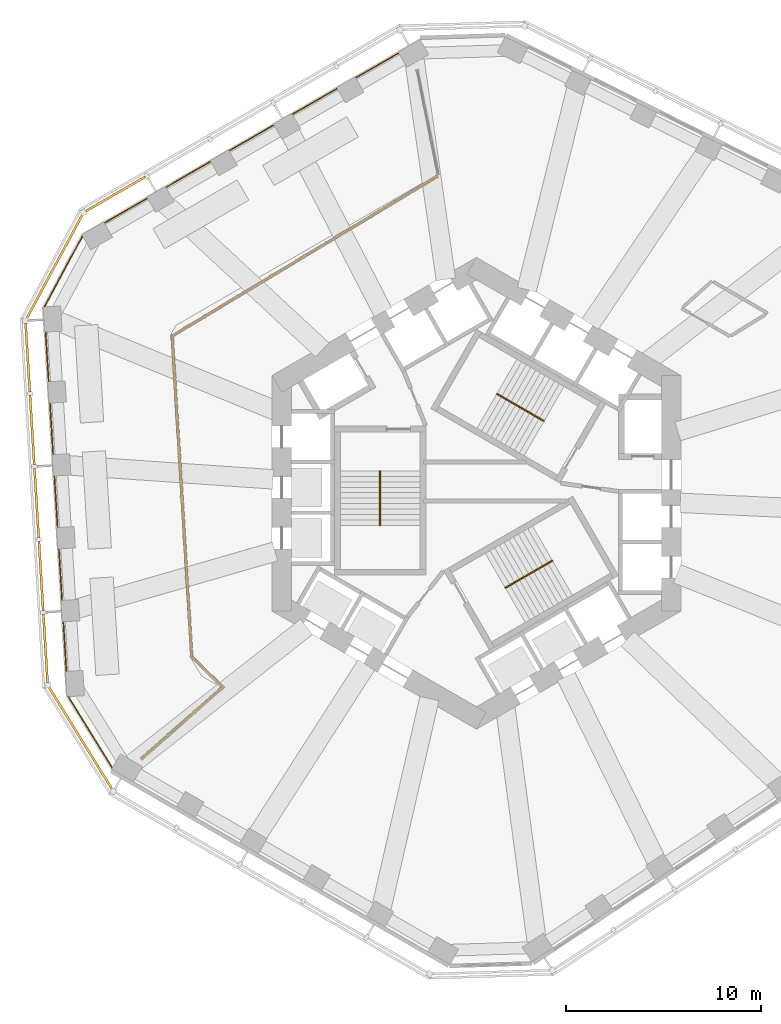
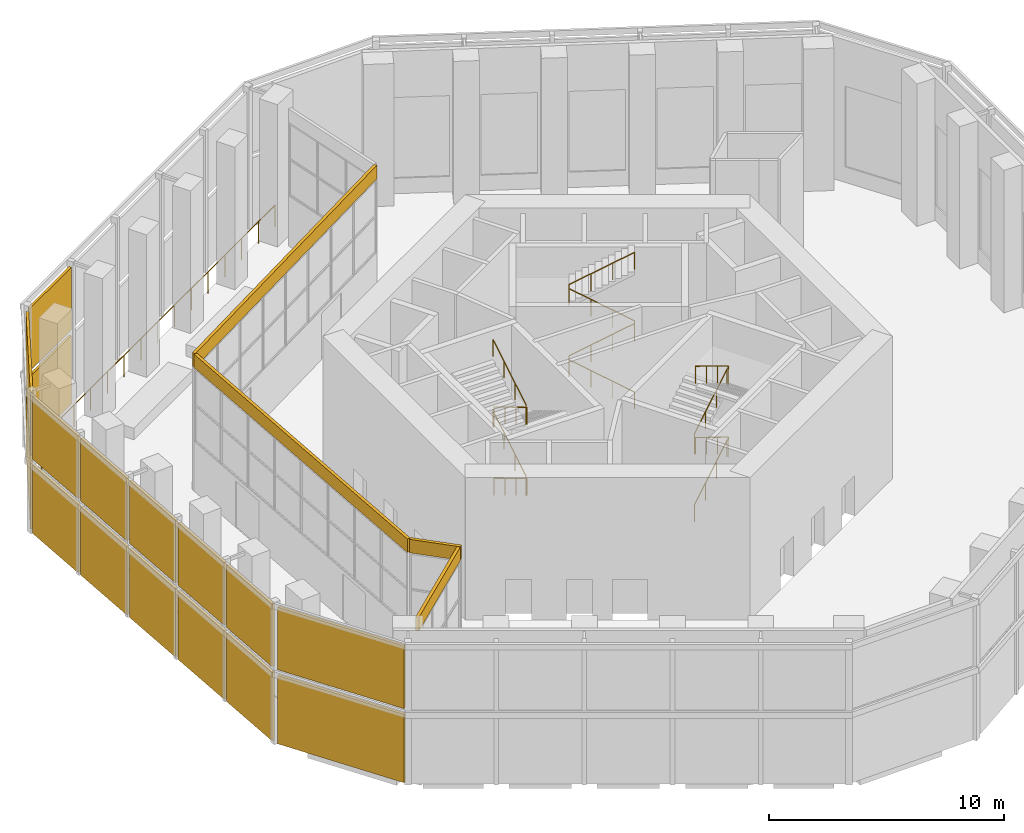
# One storey, part 16 of 19: 16 shading devices, 4 coverings, 4 railings.
"""IFC4 building model written with IfcOpenShell, lengths in metres."""

from ifc_helpers import new_model, si_unit, direction, frame, origin, origin_2d, place, context, subcontext, project, spatial, rectangle, circle, extrude, material, layer, layer_set, type_object, element, save


model = new_model("IFC4")

# Units and contexts
model_context = context("Model", 3, precision=1e-05, world=origin(), true_north=direction((0.0, 1.0)))
body_context = subcontext(model_context, "Body", "Model", "MODEL_VIEW")
ifc_project = project(units=[si_unit("LENGTHUNIT", "METRE"), si_unit("AREAUNIT", "SQUARE_METRE"), si_unit("VOLUMEUNIT", "CUBIC_METRE"), si_unit("PLANEANGLEUNIT", "RADIAN"), si_unit("MASSUNIT", "GRAM", prefix="KILO")], contexts=[model_context])

# Site, building, storey
site_placement = place(None, origin())
site = spatial("IfcSite", under=ifc_project, at=site_placement, CompositionType="ELEMENT")
building_placement = place(site_placement, origin())
building = spatial("IfcBuilding", under=site, at=building_placement, Name="Vanh Sen Convention Tower", CompositionType="ELEMENT")
storey_placement = place(building_placement, frame((0.0, 0.0, 139.199951171875)))
storey = spatial("IfcBuildingStorey", under=building, at=storey_placement, Name="L34", CompositionType="ELEMENT", Elevation=139.199951171875)

# Railings
ifc_material_1 = material(Name="Stainless steel posts with toughened glass infill", Category="steel")
railing_type_1 = type_object("IfcRailingType", Name="Garden guard 1150", PredefinedType="GUARDRAIL", material=ifc_material_1)
railing_1_placement = place(storey_placement, frame((-2.91162109375, 23.260498046875, 0.0)))
element("IfcRailing", 1, at=railing_1_placement, inside=storey, type_object=railing_type_1, Name="Sky garden guard 1 L34", PredefinedType="GUARDRAIL", context=body_context, shape_type="SweptSolid", body=[
    extrude(circle(Radius=0.02392578125, at=origin_2d()), frame((0.0, 0.0, 1.1259765625), z_axis=(-0.866022959057, -0.500004234368, 0.0), x_axis=(0.500004234368, -0.866022959057, 0.0)), (0.0, 0.0, 1.0), 19.999755859375),
    extrude(circle(Radius=0.02392578125, at=origin_2d()), frame((-17.3203125, -10.0, 1.1259765625), z_axis=(-0.473325003446, -0.880887870908, 0.0), x_axis=(0.880887870908, -0.473325003446, 0.0)), (0.0, 0.0, 1.0), 4.2099609375),
    extrude(circle(Radius=0.02392578125, at=origin_2d()), frame((-19.31298828125, -13.70849609375, 1.1259765625), z_axis=(0.061044843315, -0.998135024485, 0.0), x_axis=(0.998135024485, 0.061044843315, 0.0)), (0.0, 0.0, 1.0), 20.016845703125),
    extrude(circle(Radius=0.02392578125, at=origin_2d()), frame((-18.091064453125, -33.68798828125, 1.1259765625), z_axis=(0.526237283106, -0.850337769283, 0.0), x_axis=(0.850337769283, 0.526237283106, 0.0)), (0.0, 0.0, 1.0), 4.369873046875),
    extrude(circle(Radius=0.02392578125, at=origin_2d()), frame((-15.79150390625, -37.40380859375, 1.1259765625), z_axis=(0.870022185849, -0.493012571981, 0.0), x_axis=(0.493012571981, 0.870022185849, 0.0)), (0.0, 0.0, 1.0), 0.016845703125),
    extrude(circle(Radius=0.02099609375, at=origin_2d()), origin(), (0.0, 0.0, 1.0), 1.101806640625),
    extrude(circle(Radius=0.02099609375, at=origin_2d()), frame((-1.237060546875, -0.71435546875, 0.0)), (0.0, 0.0, 1.0), 1.101806640625),
    extrude(circle(Radius=0.02099609375, at=origin_2d()), frame((-2.474365234375, -1.428466796875, 0.0)), (0.0, 0.0, 1.0), 1.101806640625),
    extrude(circle(Radius=0.02099609375, at=origin_2d()), frame((-3.71142578125, -2.142822265625, 0.0)), (0.0, 0.0, 1.0), 1.101806640625),
    extrude(circle(Radius=0.02099609375, at=origin_2d()), frame((-4.94873046875, -2.857177734375, 0.0)), (0.0, 0.0, 1.0), 1.101806640625),
    extrude(circle(Radius=0.02099609375, at=origin_2d()), frame((-6.185791015625, -3.571533203125, 0.0)), (0.0, 0.0, 1.0), 1.101806640625),
    extrude(circle(Radius=0.02099609375, at=origin_2d()), frame((-7.423095703125, -4.28564453125, 0.0)), (0.0, 0.0, 1.0), 1.101806640625),
    extrude(circle(Radius=0.02099609375, at=origin_2d()), frame((-8.66015625, -5.0, 0.0)), (0.0, 0.0, 1.0), 1.101806640625),
    extrude(circle(Radius=0.02099609375, at=origin_2d()), frame((-9.897216796875, -5.71435546875, 0.0)), (0.0, 0.0, 1.0), 1.101806640625),
    extrude(circle(Radius=0.02099609375, at=origin_2d()), frame((-11.134521484375, -6.428466796875, 0.0)), (0.0, 0.0, 1.0), 1.101806640625),
    extrude(circle(Radius=0.02099609375, at=origin_2d()), frame((-12.37158203125, -7.142822265625, 0.0)), (0.0, 0.0, 1.0), 1.101806640625),
    extrude(circle(Radius=0.02099609375, at=origin_2d()), frame((-13.60888671875, -7.857177734375, 0.0)), (0.0, 0.0, 1.0), 1.101806640625),
    extrude(circle(Radius=0.02099609375, at=origin_2d()), frame((-14.845947265625, -8.571533203125, 0.0)), (0.0, 0.0, 1.0), 1.101806640625),
    extrude(circle(Radius=0.02099609375, at=origin_2d()), frame((-16.083251953125, -9.28564453125, 0.0)), (0.0, 0.0, 1.0), 1.101806640625),
    extrude(circle(Radius=0.02099609375, at=origin_2d()), frame((-17.3203125, -10.0, 0.0)), (0.0, 0.0, 1.0), 1.101806640625),
    extrude(circle(Radius=0.02099609375, at=origin_2d()), frame((-17.984619140625, -11.236083984375, 0.0)), (0.0, 0.0, 1.0), 1.101806640625),
    extrude(circle(Radius=0.02099609375, at=origin_2d()), frame((-18.648681640625, -12.472412109375, 0.0)), (0.0, 0.0, 1.0), 1.101806640625),
    extrude(circle(Radius=0.02099609375, at=origin_2d()), frame((-19.31298828125, -13.70849609375, 0.0)), (0.0, 0.0, 1.0), 1.101806640625),
    extrude(circle(Radius=0.02099609375, at=origin_2d()), frame((-19.2255859375, -15.135498046875, 0.0)), (0.0, 0.0, 1.0), 1.101806640625),
    extrude(circle(Radius=0.02099609375, at=origin_2d()), frame((-19.138427734375, -16.562744140625, 0.0)), (0.0, 0.0, 1.0), 1.101806640625),
    extrude(circle(Radius=0.02099609375, at=origin_2d()), frame((-19.05126953125, -17.98974609375, 0.0)), (0.0, 0.0, 1.0), 1.101806640625),
    extrude(circle(Radius=0.02099609375, at=origin_2d()), frame((-18.9638671875, -19.4169921875, 0.0)), (0.0, 0.0, 1.0), 1.101806640625),
    extrude(circle(Radius=0.02099609375, at=origin_2d()), frame((-18.87646484375, -20.843994140625, 0.0)), (0.0, 0.0, 1.0), 1.101806640625),
    extrude(circle(Radius=0.02099609375, at=origin_2d()), frame((-18.789306640625, -22.271240234375, 0.0)), (0.0, 0.0, 1.0), 1.101806640625),
    extrude(circle(Radius=0.02099609375, at=origin_2d()), frame((-18.7021484375, -23.6982421875, 0.0)), (0.0, 0.0, 1.0), 1.101806640625),
    extrude(circle(Radius=0.02099609375, at=origin_2d()), frame((-18.61474609375, -25.125244140625, 0.0)), (0.0, 0.0, 1.0), 1.101806640625),
    extrude(circle(Radius=0.02099609375, at=origin_2d()), frame((-18.52734375, -26.552490234375, 0.0)), (0.0, 0.0, 1.0), 1.101806640625),
    extrude(circle(Radius=0.02099609375, at=origin_2d()), frame((-18.440185546875, -27.9794921875, 0.0)), (0.0, 0.0, 1.0), 1.101806640625),
    extrude(circle(Radius=0.02099609375, at=origin_2d()), frame((-18.35302734375, -29.40673828125, 0.0)), (0.0, 0.0, 1.0), 1.101806640625),
    extrude(circle(Radius=0.02099609375, at=origin_2d()), frame((-18.265625, -30.833740234375, 0.0)), (0.0, 0.0, 1.0), 1.101806640625),
    extrude(circle(Radius=0.02099609375, at=origin_2d()), frame((-18.17822265625, -32.260986328125, 0.0)), (0.0, 0.0, 1.0), 1.101806640625),
    extrude(circle(Radius=0.02099609375, at=origin_2d()), frame((-18.091064453125, -33.68798828125, 0.0)), (0.0, 0.0, 1.0), 1.101806640625),
    extrude(circle(Radius=0.02099609375, at=origin_2d()), frame((-17.324462890625, -34.926513671875, 0.0)), (0.0, 0.0, 1.0), 1.101806640625),
    extrude(circle(Radius=0.02099609375, at=origin_2d()), frame((-16.55810546875, -36.165283203125, 0.0)), (0.0, 0.0, 1.0), 1.101806640625),
    extrude(circle(Radius=0.02099609375, at=origin_2d()), frame((-15.79150390625, -37.40380859375, 0.0)), (0.0, 0.0, 1.0), 1.101806640625),
    extrude(circle(Radius=0.02099609375, at=origin_2d()), frame((-15.77685546875, -37.412109375, 0.0)), (0.0, 0.0, 1.0), 1.101806640625),
])
ifc_material_2 = material(Name="Stainless steel handrail", Category="steel")
railing_type_2 = type_object("IfcRailingType", Name="Stair handrail 900", PredefinedType="HANDRAIL", material=ifc_material_2)
railing_2_placement = place(storey_placement, frame((3.45849609375, 3.690185546875, 0.168212890625)))
element("IfcRailing", 2, at=railing_2_placement, inside=storey, type_object=railing_type_2, Name="Stair handrail ST1 L34", PredefinedType="HANDRAIL", context=body_context, shape_type="SweptSolid", body=[
    extrude(circle(Radius=0.02392578125, at=origin_2d()), frame((0.0, 0.0, 0.8759765625), z_axis=(-0.742390482028, 0.42860119049, 0.514934356695), x_axis=(-0.49998411664, -0.866034573852, 0.0)), (0.0, 0.0, 1.0), 3.26611328125),
    extrude(circle(Radius=0.02392578125, at=origin_2d()), frame((-2.4248046875, 1.39990234375, 2.5576171875), z_axis=(0.497188445666, 0.867642581652, 0.0), x_axis=(-0.867642581652, 0.497188445666, 0.0)), (0.0, 0.0, 1.0), 0.050048828125),
    extrude(circle(Radius=0.02392578125, at=origin_2d()), frame((-2.39990234375, 1.443359375, 2.5576171875), z_axis=(0.0, 0.0, 1.0), x_axis=(1.0, 0.0, 0.0)), (0.0, 0.0, 1.0), 0.168212890625),
    extrude(circle(Radius=0.02392578125, at=origin_2d()), frame((-2.39990234375, 1.443359375, 2.72607421875), z_axis=(0.742395268701, -0.428678701772, 0.514862928999), x_axis=(0.500049511043, 0.865996816683, 0.0)), (0.0, 0.0, 1.0), 3.26611328125),
    extrude(circle(Radius=0.02392578125, at=origin_2d()), frame((0.02490234375, 0.043212890625, 4.40771484375), z_axis=(-0.499298623879, -0.866429964967, 0.0), x_axis=(0.866429964967, -0.499298623879, 0.0)), (0.0, 0.0, 1.0), 0.0498046875),
    extrude(circle(Radius=0.02392578125, at=origin_2d()), frame((0.0, 0.0, 4.40771484375), z_axis=(0.0, 0.0, 1.0), x_axis=(1.0, 0.0, 0.0)), (0.0, 0.0, 1.0), 0.168212890625),
    extrude(circle(Radius=0.02392578125, at=origin_2d()), frame((0.0, 0.0, 4.57568359375), z_axis=(-0.742390482028, 0.42860119049, 0.514934356695), x_axis=(-0.49998411664, -0.866034573852, 0.0)), (0.0, 0.0, 1.0), 3.26611328125),
    extrude(circle(Radius=0.02392578125, at=origin_2d()), frame((-2.4248046875, 1.39990234375, 6.2578125), z_axis=(0.497188445666, 0.867642581652, 0.0), x_axis=(-0.867642581652, 0.497188445666, 0.0)), (0.0, 0.0, 1.0), 0.050048828125),
    extrude(circle(Radius=0.02392578125, at=origin_2d()), frame((-2.39990234375, 1.443359375, 6.2578125), z_axis=(0.0, 0.0, 1.0), x_axis=(1.0, 0.0, 0.0)), (0.0, 0.0, 1.0), 0.168212890625),
    extrude(circle(Radius=0.02392578125, at=origin_2d()), frame((-2.39990234375, 1.443359375, 6.42578125), z_axis=(0.742366697286, -0.42866220388, 0.514917859203), x_axis=(0.500049511043, 0.865996816683, 0.0)), (0.0, 0.0, 1.0), 3.266357421875),
    extrude(circle(Radius=0.02099609375, at=origin_2d()), origin(), (0.0, 0.0, 1.0), 0.851806640625),
    extrude(circle(Radius=0.02099609375, at=origin_2d()), frame((-0.808349609375, 0.466552734375, 0.560546875)), (0.0, 0.0, 1.0), 0.851806640625),
    extrude(circle(Radius=0.02099609375, at=origin_2d()), frame((-1.616455078125, 0.933349609375, 1.121337890625)), (0.0, 0.0, 1.0), 0.851806640625),
    extrude(circle(Radius=0.02099609375, at=origin_2d()), frame((-2.4248046875, 1.39990234375, 1.681884765625)), (0.0, 0.0, 1.0), 0.851806640625),
    extrude(circle(Radius=0.02099609375, at=origin_2d()), frame((-2.39990234375, 1.443359375, 1.681884765625)), (0.0, 0.0, 1.0), 0.851806640625),
    extrude(circle(Radius=0.02099609375, at=origin_2d()), frame((-2.39990234375, 1.443359375, 1.85009765625)), (0.0, 0.0, 1.0), 0.851806640625),
    extrude(circle(Radius=0.02099609375, at=origin_2d()), frame((-1.591552734375, 0.9765625, 2.41064453125)), (0.0, 0.0, 1.0), 0.851806640625),
    extrude(circle(Radius=0.02099609375, at=origin_2d()), frame((-0.783447265625, 0.510009765625, 2.97119140625)), (0.0, 0.0, 1.0), 0.851806640625),
    extrude(circle(Radius=0.02099609375, at=origin_2d()), frame((0.02490234375, 0.043212890625, 3.53173828125)), (0.0, 0.0, 1.0), 0.851806640625),
    extrude(circle(Radius=0.02099609375, at=origin_2d()), frame((0.0, 0.0, 3.53173828125)), (0.0, 0.0, 1.0), 0.851806640625),
    extrude(circle(Radius=0.02099609375, at=origin_2d()), frame((0.0, 0.0, 3.699951171875)), (0.0, 0.0, 1.0), 0.851806640625),
    extrude(circle(Radius=0.02099609375, at=origin_2d()), frame((-0.808349609375, 0.466552734375, 4.260498046875)), (0.0, 0.0, 1.0), 0.851806640625),
    extrude(circle(Radius=0.02099609375, at=origin_2d()), frame((-1.616455078125, 0.933349609375, 4.8212890625)), (0.0, 0.0, 1.0), 0.851806640625),
    extrude(circle(Radius=0.02099609375, at=origin_2d()), frame((-2.4248046875, 1.39990234375, 5.3818359375)), (0.0, 0.0, 1.0), 0.851806640625),
    extrude(circle(Radius=0.02099609375, at=origin_2d()), frame((-2.39990234375, 1.443359375, 5.3818359375)), (0.0, 0.0, 1.0), 0.851806640625),
    extrude(circle(Radius=0.02099609375, at=origin_2d()), frame((-2.39990234375, 1.443359375, 5.550048828125)), (0.0, 0.0, 1.0), 0.851806640625),
    extrude(circle(Radius=0.02099609375, at=origin_2d()), frame((-1.591552734375, 0.9765625, 6.110595703125)), (0.0, 0.0, 1.0), 0.851806640625),
    extrude(circle(Radius=0.02099609375, at=origin_2d()), frame((-0.783447265625, 0.510009765625, 6.67138671875)), (0.0, 0.0, 1.0), 0.851806640625),
    extrude(circle(Radius=0.02099609375, at=origin_2d()), frame((0.02490234375, 0.043212890625, 7.23193359375)), (0.0, 0.0, 1.0), 0.851806640625),
])
railing_3_placement = place(storey_placement, frame((-4.925048828125, 1.14990234375, 0.168212890625)))
element("IfcRailing", 3, at=railing_3_placement, inside=storey, type_object=railing_type_2, Name="Stair handrail ST2 L34", PredefinedType="HANDRAIL", context=body_context, shape_type="SweptSolid", body=[
    extrude(circle(Radius=0.02392578125, at=origin_2d()), frame((0.0, 0.0, 0.8759765625), z_axis=(0.0, -0.857222391501, 0.514946377315), x_axis=(1.0, 0.0, 0.0)), (0.0, 0.0, 1.0), 3.26611328125),
    extrude(circle(Radius=0.02392578125, at=origin_2d()), frame((0.0, -2.7998046875, 2.5576171875), z_axis=(-1.0, 0.0, 0.0), x_axis=(0.0, -1.0, 0.0)), (0.0, 0.0, 1.0), 0.050048828125),
    extrude(circle(Radius=0.02392578125, at=origin_2d()), frame((-0.050048828125, -2.7998046875, 2.5576171875), z_axis=(0.0, 0.0, 1.0), x_axis=(1.0, 0.0, 0.0)), (0.0, 0.0, 1.0), 0.168212890625),
    extrude(circle(Radius=0.02392578125, at=origin_2d()), frame((-0.050048828125, -2.7998046875, 2.72607421875), z_axis=(0.0, 0.857255387014, 0.514891446264), x_axis=(-1.0, 0.0, 0.0)), (0.0, 0.0, 1.0), 3.26611328125),
    extrude(circle(Radius=0.02392578125, at=origin_2d()), frame((-0.050048828125, 0.0, 4.40771484375), z_axis=(1.0, 0.0, 0.0), x_axis=(0.0, 1.0, 0.0)), (0.0, 0.0, 1.0), 0.050048828125),
    extrude(circle(Radius=0.02392578125, at=origin_2d()), frame((0.0, 0.0, 4.40771484375), z_axis=(0.0, 0.0, 1.0), x_axis=(1.0, 0.0, 0.0)), (0.0, 0.0, 1.0), 0.168212890625),
    extrude(circle(Radius=0.02392578125, at=origin_2d()), frame((0.0, 0.0, 4.57568359375), z_axis=(0.0, -0.857222391501, 0.514946377315), x_axis=(1.0, 0.0, 0.0)), (0.0, 0.0, 1.0), 3.26611328125),
    extrude(circle(Radius=0.02392578125, at=origin_2d()), frame((0.0, -2.7998046875, 6.2578125), z_axis=(-1.0, 0.0, 0.0), x_axis=(0.0, -1.0, 0.0)), (0.0, 0.0, 1.0), 0.050048828125),
    extrude(circle(Radius=0.02392578125, at=origin_2d()), frame((-0.050048828125, -2.7998046875, 6.2578125), z_axis=(0.0, 0.0, 1.0), x_axis=(1.0, 0.0, 0.0)), (0.0, 0.0, 1.0), 0.168212890625),
    extrude(circle(Radius=0.02392578125, at=origin_2d()), frame((-0.050048828125, -2.7998046875, 6.42578125), z_axis=(0.0, 0.857222391501, 0.514946377315), x_axis=(-1.0, 0.0, 0.0)), (0.0, 0.0, 1.0), 3.26611328125),
    extrude(circle(Radius=0.02099609375, at=origin_2d()), origin(), (0.0, 0.0, 1.0), 0.851806640625),
    extrude(circle(Radius=0.02099609375, at=origin_2d()), frame((0.0, -0.933349609375, 0.560546875)), (0.0, 0.0, 1.0), 0.851806640625),
    extrude(circle(Radius=0.02099609375, at=origin_2d()), frame((0.0, -1.866455078125, 1.121337890625)), (0.0, 0.0, 1.0), 0.851806640625),
    extrude(circle(Radius=0.02099609375, at=origin_2d()), frame((0.0, -2.7998046875, 1.681884765625)), (0.0, 0.0, 1.0), 0.851806640625),
    extrude(circle(Radius=0.02099609375, at=origin_2d()), frame((-0.050048828125, -2.7998046875, 1.681884765625)), (0.0, 0.0, 1.0), 0.851806640625),
    extrude(circle(Radius=0.02099609375, at=origin_2d()), frame((-0.050048828125, -2.7998046875, 1.85009765625)), (0.0, 0.0, 1.0), 0.851806640625),
    extrude(circle(Radius=0.02099609375, at=origin_2d()), frame((-0.050048828125, -1.866455078125, 2.41064453125)), (0.0, 0.0, 1.0), 0.851806640625),
    extrude(circle(Radius=0.02099609375, at=origin_2d()), frame((-0.050048828125, -0.933349609375, 2.97119140625)), (0.0, 0.0, 1.0), 0.851806640625),
    extrude(circle(Radius=0.02099609375, at=origin_2d()), frame((-0.050048828125, 0.0, 3.53173828125)), (0.0, 0.0, 1.0), 0.851806640625),
    extrude(circle(Radius=0.02099609375, at=origin_2d()), frame((0.0, 0.0, 3.53173828125)), (0.0, 0.0, 1.0), 0.851806640625),
    extrude(circle(Radius=0.02099609375, at=origin_2d()), frame((0.0, 0.0, 3.699951171875)), (0.0, 0.0, 1.0), 0.851806640625),
    extrude(circle(Radius=0.02099609375, at=origin_2d()), frame((0.0, -0.933349609375, 4.260498046875)), (0.0, 0.0, 1.0), 0.851806640625),
    extrude(circle(Radius=0.02099609375, at=origin_2d()), frame((0.0, -1.866455078125, 4.8212890625)), (0.0, 0.0, 1.0), 0.851806640625),
    extrude(circle(Radius=0.02099609375, at=origin_2d()), frame((0.0, -2.7998046875, 5.3818359375)), (0.0, 0.0, 1.0), 0.851806640625),
    extrude(circle(Radius=0.02099609375, at=origin_2d()), frame((-0.050048828125, -2.7998046875, 5.3818359375)), (0.0, 0.0, 1.0), 0.851806640625),
    extrude(circle(Radius=0.02099609375, at=origin_2d()), frame((-0.050048828125, -2.7998046875, 5.550048828125)), (0.0, 0.0, 1.0), 0.851806640625),
    extrude(circle(Radius=0.02099609375, at=origin_2d()), frame((-0.050048828125, -1.866455078125, 6.110595703125)), (0.0, 0.0, 1.0), 0.851806640625),
    extrude(circle(Radius=0.02099609375, at=origin_2d()), frame((-0.050048828125, -0.933349609375, 6.67138671875)), (0.0, 0.0, 1.0), 0.851806640625),
    extrude(circle(Radius=0.02099609375, at=origin_2d()), frame((-0.050048828125, 0.0, 7.23193359375)), (0.0, 0.0, 1.0), 0.851806640625),
])
railing_4_placement = place(storey_placement, frame((1.466552734375, -4.840087890625, 0.168212890625)))
element("IfcRailing", 4, at=railing_4_placement, inside=storey, type_object=railing_type_2, Name="Stair handrail ST3 L34", PredefinedType="HANDRAIL", context=body_context, shape_type="SweptSolid", body=[
    extrude(circle(Radius=0.02392578125, at=origin_2d()), frame((0.0, 0.0, 0.8759765625), z_axis=(0.742390482028, 0.42860119049, 0.514934356695), x_axis=(-0.49998411664, 0.866034573852, 0.0)), (0.0, 0.0, 1.0), 3.26611328125),
    extrude(circle(Radius=0.02392578125, at=origin_2d()), frame((2.4248046875, 1.39990234375, 2.5576171875), z_axis=(0.502959906984, -0.86430974307, 0.0), x_axis=(0.86430974307, 0.502959906984, 0.0)), (0.0, 0.0, 1.0), 0.050048828125),
    extrude(circle(Radius=0.02392578125, at=origin_2d()), frame((2.449951171875, 1.356689453125, 2.5576171875), z_axis=(0.0, 0.0, 1.0), x_axis=(1.0, 0.0, 0.0)), (0.0, 0.0, 1.0), 0.168212890625),
    extrude(circle(Radius=0.02392578125, at=origin_2d()), frame((2.449951171875, 1.356689453125, 2.72607421875), z_axis=(-0.742395268701, -0.428678701772, 0.514862928999), x_axis=(0.500049511043, -0.865996816683, 0.0)), (0.0, 0.0, 1.0), 3.26611328125),
    extrude(circle(Radius=0.02392578125, at=origin_2d()), frame((0.025146484375, -0.04345703125, 4.40771484375), z_axis=(-0.500844580232, 0.86553723574, 0.0), x_axis=(-0.86553723574, -0.500844580232, 0.0)), (0.0, 0.0, 1.0), 0.05029296875),
    extrude(circle(Radius=0.02392578125, at=origin_2d()), frame((0.0, 0.0, 4.40771484375), z_axis=(0.0, 0.0, 1.0), x_axis=(1.0, 0.0, 0.0)), (0.0, 0.0, 1.0), 0.168212890625),
    extrude(circle(Radius=0.02392578125, at=origin_2d()), frame((0.0, 0.0, 4.57568359375), z_axis=(0.742390482028, 0.42860119049, 0.514934356695), x_axis=(-0.49998411664, 0.866034573852, 0.0)), (0.0, 0.0, 1.0), 3.26611328125),
    extrude(circle(Radius=0.02392578125, at=origin_2d()), frame((2.4248046875, 1.39990234375, 6.2578125), z_axis=(0.502959906984, -0.86430974307, 0.0), x_axis=(0.86430974307, 0.502959906984, 0.0)), (0.0, 0.0, 1.0), 0.050048828125),
    extrude(circle(Radius=0.02392578125, at=origin_2d()), frame((2.449951171875, 1.356689453125, 6.2578125), z_axis=(0.0, 0.0, 1.0), x_axis=(1.0, 0.0, 0.0)), (0.0, 0.0, 1.0), 0.168212890625),
    extrude(circle(Radius=0.02392578125, at=origin_2d()), frame((2.449951171875, 1.356689453125, 6.42578125), z_axis=(-0.742366697286, -0.42866220388, 0.514917859203), x_axis=(0.500049511043, -0.865996816683, 0.0)), (0.0, 0.0, 1.0), 3.266357421875),
    extrude(circle(Radius=0.02099609375, at=origin_2d()), origin(), (0.0, 0.0, 1.0), 0.851806640625),
    extrude(circle(Radius=0.02099609375, at=origin_2d()), frame((0.808349609375, 0.466552734375, 0.560546875)), (0.0, 0.0, 1.0), 0.851806640625),
    extrude(circle(Radius=0.02099609375, at=origin_2d()), frame((1.616455078125, 0.933349609375, 1.121337890625)), (0.0, 0.0, 1.0), 0.851806640625),
    extrude(circle(Radius=0.02099609375, at=origin_2d()), frame((2.4248046875, 1.39990234375, 1.681884765625)), (0.0, 0.0, 1.0), 0.851806640625),
    extrude(circle(Radius=0.02099609375, at=origin_2d()), frame((2.449951171875, 1.356689453125, 1.681884765625)), (0.0, 0.0, 1.0), 0.851806640625),
    extrude(circle(Radius=0.02099609375, at=origin_2d()), frame((2.449951171875, 1.356689453125, 1.85009765625)), (0.0, 0.0, 1.0), 0.851806640625),
    extrude(circle(Radius=0.02099609375, at=origin_2d()), frame((1.6416015625, 0.889892578125, 2.41064453125)), (0.0, 0.0, 1.0), 0.851806640625),
    extrude(circle(Radius=0.02099609375, at=origin_2d()), frame((0.83349609375, 0.42333984375, 2.97119140625)), (0.0, 0.0, 1.0), 0.851806640625),
    extrude(circle(Radius=0.02099609375, at=origin_2d()), frame((0.025146484375, -0.04345703125, 3.53173828125)), (0.0, 0.0, 1.0), 0.851806640625),
    extrude(circle(Radius=0.02099609375, at=origin_2d()), frame((0.0, 0.0, 3.53173828125)), (0.0, 0.0, 1.0), 0.851806640625),
    extrude(circle(Radius=0.02099609375, at=origin_2d()), frame((0.0, 0.0, 3.699951171875)), (0.0, 0.0, 1.0), 0.851806640625),
    extrude(circle(Radius=0.02099609375, at=origin_2d()), frame((0.808349609375, 0.466552734375, 4.260498046875)), (0.0, 0.0, 1.0), 0.851806640625),
    extrude(circle(Radius=0.02099609375, at=origin_2d()), frame((1.616455078125, 0.933349609375, 4.8212890625)), (0.0, 0.0, 1.0), 0.851806640625),
    extrude(circle(Radius=0.02099609375, at=origin_2d()), frame((2.4248046875, 1.39990234375, 5.3818359375)), (0.0, 0.0, 1.0), 0.851806640625),
    extrude(circle(Radius=0.02099609375, at=origin_2d()), frame((2.449951171875, 1.356689453125, 5.3818359375)), (0.0, 0.0, 1.0), 0.851806640625),
    extrude(circle(Radius=0.02099609375, at=origin_2d()), frame((2.449951171875, 1.356689453125, 5.550048828125)), (0.0, 0.0, 1.0), 0.851806640625),
    extrude(circle(Radius=0.02099609375, at=origin_2d()), frame((1.6416015625, 0.889892578125, 6.110595703125)), (0.0, 0.0, 1.0), 0.851806640625),
    extrude(circle(Radius=0.02099609375, at=origin_2d()), frame((0.83349609375, 0.42333984375, 6.67138671875)), (0.0, 0.0, 1.0), 0.851806640625),
    extrude(circle(Radius=0.02099609375, at=origin_2d()), frame((0.025146484375, -0.04345703125, 7.23193359375)), (0.0, 0.0, 1.0), 0.851806640625),
])

# Shading devices
ifc_material_3 = material(Name="Concrete C50/60", Category="concrete")
ifc_layer_1 = layer(ifc_material_3, 0.1201171875)
ifc_layer_set_1 = layer_set([ifc_layer_1], Name="Concrete C50/60")
shading_device_type = type_object("IfcShadingDeviceType", Name="Sun-screen louvre 120", PredefinedType="USERDEFINED", material=ifc_layer_set_1)
shading_device_1_placement = place(storey_placement, frame((-18.54638671875, 15.388427734375, 0.0), z_axis=(0.0, 0.0, 1.0), x_axis=(-0.866035002936, -0.499983373414, 0.0)))
element("IfcShadingDevice", 5, at=shading_device_1_placement, inside=storey, type_object=shading_device_type, Name="OUTER SKIN sun-screen louvre NW-5", ObjectType="LOUVRE", PredefinedType="USERDEFINED", context=body_context, shape_type="SweptSolid", body=[
    extrude(rectangle(XDim=3.504150390625, YDim=0.1201171875, at=origin_2d()), origin(), (0.0, 0.0, 1.0), 3.550048828125),
])
shading_device_2_placement = place(storey_placement, frame((-18.54638671875, 15.388427734375, 3.85009765625), z_axis=(0.0, 0.0, 1.0), x_axis=(-0.866035002936, -0.499983373414, 0.0)))
element("IfcShadingDevice", 6, at=shading_device_2_placement, inside=storey, type_object=shading_device_type, Name="OUTER SKIN sun-screen louvre NW-5", ObjectType="LOUVRE", PredefinedType="USERDEFINED", context=body_context, shape_type="SweptSolid", body=[
    extrude(rectangle(XDim=3.504150390625, YDim=0.1201171875, at=origin_2d()), origin(), (0.0, 0.0, 1.0), 3.25),
])
shading_device_3_placement = place(storey_placement, frame((-21.689208984375, 11.654052734375, 0.0), z_axis=(0.0, 0.0, 1.0), x_axis=(-0.47331812974, -0.880891564303, 0.0)))
element("IfcShadingDevice", 7, at=shading_device_3_placement, inside=storey, type_object=shading_device_type, Name="OUTER SKIN sun-screen louvre CH3-1", ObjectType="LOUVRE", PredefinedType="USERDEFINED", context=body_context, shape_type="SweptSolid", body=[
    extrude(rectangle(XDim=6.019287109375, YDim=0.1201171875, at=origin_2d()), origin(), (0.0, 0.0, 1.0), 3.550048828125),
])
shading_device_4_placement = place(storey_placement, frame((-21.689208984375, 11.654052734375, 3.85009765625), z_axis=(0.0, 0.0, 1.0), x_axis=(-0.47331812974, -0.880891564303, 0.0)))
element("IfcShadingDevice", 8, at=shading_device_4_placement, inside=storey, type_object=shading_device_type, Name="OUTER SKIN sun-screen louvre CH3-1", ObjectType="LOUVRE", PredefinedType="USERDEFINED", context=body_context, shape_type="SweptSolid", body=[
    extrude(rectangle(XDim=6.019287109375, YDim=0.1201171875, at=origin_2d()), origin(), (0.0, 0.0, 1.0), 3.25),
])
shading_device_5_placement = place(storey_placement, frame((-23.068603515625, 6.97216796875, 0.0), z_axis=(0.0, 0.0, 1.0), x_axis=(0.061053765756, -0.998134478759, 0.0)))
element("IfcShadingDevice", 9, at=shading_device_5_placement, inside=storey, type_object=shading_device_type, Name="OUTER SKIN sun-screen louvre W-1", ObjectType="LOUVRE", PredefinedType="USERDEFINED", context=body_context, shape_type="SweptSolid", body=[
    extrude(rectangle(XDim=3.504150390625, YDim=0.1201171875, at=origin_2d()), origin(), (0.0, 0.0, 1.0), 3.550048828125),
])
shading_device_6_placement = place(storey_placement, frame((-23.068603515625, 6.97216796875, 3.85009765625), z_axis=(0.0, 0.0, 1.0), x_axis=(0.061053765756, -0.998134478759, 0.0)))
element("IfcShadingDevice", 10, at=shading_device_6_placement, inside=storey, type_object=shading_device_type, Name="OUTER SKIN sun-screen louvre W-1", ObjectType="LOUVRE", PredefinedType="USERDEFINED", context=body_context, shape_type="SweptSolid", body=[
    extrude(rectangle(XDim=3.504150390625, YDim=0.1201171875, at=origin_2d()), origin(), (0.0, 0.0, 1.0), 3.25),
])
shading_device_7_placement = place(storey_placement, frame((-22.841064453125, 3.25, 0.0), z_axis=(0.0, 0.0, 1.0), x_axis=(0.061052023682, -0.998134585316, 0.0)))
element("IfcShadingDevice", 11, at=shading_device_7_placement, inside=storey, type_object=shading_device_type, Name="OUTER SKIN sun-screen louvre W-2", ObjectType="LOUVRE", PredefinedType="USERDEFINED", context=body_context, shape_type="SweptSolid", body=[
    extrude(rectangle(XDim=3.55419921875, YDim=0.1201171875, at=origin_2d()), origin(), (0.0, 0.0, 1.0), 3.550048828125),
])
shading_device_8_placement = place(storey_placement, frame((-22.841064453125, 3.25, 3.85009765625), z_axis=(0.0, 0.0, 1.0), x_axis=(0.061052023682, -0.998134585316, 0.0)))
element("IfcShadingDevice", 12, at=shading_device_8_placement, inside=storey, type_object=shading_device_type, Name="OUTER SKIN sun-screen louvre W-2", ObjectType="LOUVRE", PredefinedType="USERDEFINED", context=body_context, shape_type="SweptSolid", body=[
    extrude(rectangle(XDim=3.55419921875, YDim=0.1201171875, at=origin_2d()), origin(), (0.0, 0.0, 1.0), 3.25),
])
shading_device_9_placement = place(storey_placement, frame((-22.61181640625, -0.4970703125, 0.0), z_axis=(0.0, 0.0, 1.0), x_axis=(0.061053765756, -0.998134478759, 0.0)))
element("IfcShadingDevice", 13, at=shading_device_9_placement, inside=storey, type_object=shading_device_type, Name="OUTER SKIN sun-screen louvre W-3", ObjectType="LOUVRE", PredefinedType="USERDEFINED", context=body_context, shape_type="SweptSolid", body=[
    extrude(rectangle(XDim=3.55419921875, YDim=0.1201171875, at=origin_2d()), origin(), (0.0, 0.0, 1.0), 3.550048828125),
])
shading_device_10_placement = place(storey_placement, frame((-22.61181640625, -0.4970703125, 3.85009765625), z_axis=(0.0, 0.0, 1.0), x_axis=(0.061053765756, -0.998134478759, 0.0)))
element("IfcShadingDevice", 14, at=shading_device_10_placement, inside=storey, type_object=shading_device_type, Name="OUTER SKIN sun-screen louvre W-3", ObjectType="LOUVRE", PredefinedType="USERDEFINED", context=body_context, shape_type="SweptSolid", body=[
    extrude(rectangle(XDim=3.55419921875, YDim=0.1201171875, at=origin_2d()), origin(), (0.0, 0.0, 1.0), 3.25),
])
shading_device_11_placement = place(storey_placement, frame((-22.382568359375, -4.244140625, 0.0), z_axis=(0.0, 0.0, 1.0), x_axis=(0.061025892559, -0.998136183312, 0.0)))
element("IfcShadingDevice", 15, at=shading_device_11_placement, inside=storey, type_object=shading_device_type, Name="OUTER SKIN sun-screen louvre W-4", ObjectType="LOUVRE", PredefinedType="USERDEFINED", context=body_context, shape_type="SweptSolid", body=[
    extrude(rectangle(XDim=3.55419921875, YDim=0.1201171875, at=origin_2d()), origin(), (0.0, 0.0, 1.0), 3.550048828125),
])
shading_device_12_placement = place(storey_placement, frame((-22.382568359375, -4.244140625, 3.85009765625), z_axis=(0.0, 0.0, 1.0), x_axis=(0.061025892559, -0.998136183312, 0.0)))
element("IfcShadingDevice", 16, at=shading_device_12_placement, inside=storey, type_object=shading_device_type, Name="OUTER SKIN sun-screen louvre W-4", ObjectType="LOUVRE", PredefinedType="USERDEFINED", context=body_context, shape_type="SweptSolid", body=[
    extrude(rectangle(XDim=3.55419921875, YDim=0.1201171875, at=origin_2d()), origin(), (0.0, 0.0, 1.0), 3.25),
])
shading_device_13_placement = place(storey_placement, frame((-22.155029296875, -7.96630859375, 0.0), z_axis=(0.0, 0.0, 1.0), x_axis=(0.061053765756, -0.998134478759, 0.0)))
element("IfcShadingDevice", 17, at=shading_device_13_placement, inside=storey, type_object=shading_device_type, Name="OUTER SKIN sun-screen louvre W-5", ObjectType="LOUVRE", PredefinedType="USERDEFINED", context=body_context, shape_type="SweptSolid", body=[
    extrude(rectangle(XDim=3.504150390625, YDim=0.1201171875, at=origin_2d()), origin(), (0.0, 0.0, 1.0), 3.550048828125),
])
shading_device_14_placement = place(storey_placement, frame((-22.155029296875, -7.96630859375, 3.85009765625), z_axis=(0.0, 0.0, 1.0), x_axis=(0.061053765756, -0.998134478759, 0.0)))
element("IfcShadingDevice", 18, at=shading_device_14_placement, inside=storey, type_object=shading_device_type, Name="OUTER SKIN sun-screen louvre W-5", ObjectType="LOUVRE", PredefinedType="USERDEFINED", context=body_context, shape_type="SweptSolid", body=[
    extrude(rectangle(XDim=3.504150390625, YDim=0.1201171875, at=origin_2d()), origin(), (0.0, 0.0, 1.0), 3.25),
])
shading_device_15_placement = place(storey_placement, frame((-20.3505859375, -12.59326171875, 0.0), z_axis=(0.0, 0.0, 1.0), x_axis=(0.526218376078, -0.850349469734, 0.0)))
element("IfcShadingDevice", 19, at=shading_device_15_placement, inside=storey, type_object=shading_device_type, Name="OUTER SKIN sun-screen louvre CH4-1", ObjectType="LOUVRE", PredefinedType="USERDEFINED", context=body_context, shape_type="SweptSolid", body=[
    extrude(rectangle(XDim=6.1171875, YDim=0.1201171875, at=origin_2d()), origin(), (0.0, 0.0, 1.0), 3.550048828125),
])
shading_device_16_placement = place(storey_placement, frame((-20.3505859375, -12.59326171875, 3.85009765625), z_axis=(0.0, 0.0, 1.0), x_axis=(0.526218376078, -0.850349469734, 0.0)))
element("IfcShadingDevice", 20, at=shading_device_16_placement, inside=storey, type_object=shading_device_type, Name="OUTER SKIN sun-screen louvre CH4-1", ObjectType="LOUVRE", PredefinedType="USERDEFINED", context=body_context, shape_type="SweptSolid", body=[
    extrude(rectangle(XDim=6.1171875, YDim=0.1201171875, at=origin_2d()), origin(), (0.0, 0.0, 1.0), 3.25),
])

# Coverings
ifc_material_4 = material(Name="Insulated aluminium composite panel", Category="aluminium")
ifc_layer_2 = layer(ifc_material_4, 0.14990234375)
ifc_layer_set_2 = layer_set([ifc_layer_2], Name="Insulated aluminium composite panel")
covering_type = type_object("IfcCoveringType", Name="Winter garden head cladding 150", PredefinedType="CLADDING", material=ifc_layer_set_2)
covering_1_placement = place(storey_placement, frame((-15.172607421875, -11.837158203125, 6.419921875), z_axis=(0.0, 0.0, 1.0), x_axis=(0.750698264891, 0.660645226343, 0.0)))
element("IfcCovering", 21, at=covering_1_placement, inside=storey, type_object=covering_type, Name="Winter garden head cladding 1 L34", PredefinedType="CLADDING", context=body_context, shape_type="SweptSolid", body=[
    extrude(rectangle(XDim=5.505859375, YDim=0.14990234375, at=origin_2d()), origin(), (0.0, 0.0, 1.0), 0.699951171875),
])
covering_2_placement = place(storey_placement, frame((-13.790283203125, -9.227783203125, 6.419921875), z_axis=(0.0, 0.0, 1.0), x_axis=(-0.714460468095, 0.699675810307, 0.0)))
element("IfcCovering", 22, at=covering_2_placement, inside=storey, type_object=covering_type, Name="Winter garden head cladding 2 L34", PredefinedType="CLADDING", context=body_context, shape_type="SweptSolid", body=[
    extrude(rectangle(XDim=2.23583984375, YDim=0.14990234375, at=origin_2d()), origin(), (0.0, 0.0, 1.0), 0.699951171875),
])
covering_3_placement = place(storey_placement, frame((-15.14013671875, -0.21435546875, 6.419921875), z_axis=(0.0, 0.0, 1.0), x_axis=(-0.061045055387, 0.998135011515, 0.0)))
element("IfcCovering", 23, at=covering_3_placement, inside=storey, type_object=covering_type, Name="Winter garden head cladding 3 L34", PredefinedType="CLADDING", context=body_context, shape_type="SweptSolid", body=[
    extrude(rectangle(XDim=16.451416015625, YDim=0.14990234375, at=origin_2d()), origin(), (0.0, 0.0, 1.0), 0.699951171875),
])
covering_4_placement = place(storey_placement, frame((-8.84619140625, 12.1845703125, 6.419921875), z_axis=(0.0, 0.0, 1.0), x_axis=(0.856483374449, 0.516174611244, 0.0)))
element("IfcCovering", 24, at=covering_4_placement, inside=storey, type_object=covering_type, Name="Winter garden head cladding 4 L34", PredefinedType="CLADDING", context=body_context, shape_type="SweptSolid", body=[
    extrude(rectangle(XDim=15.973388671875, YDim=0.14990234375, at=origin_2d()), origin(), (0.0, 0.0, 1.0), 0.699951171875),
])

save(model, "model.ifc")
